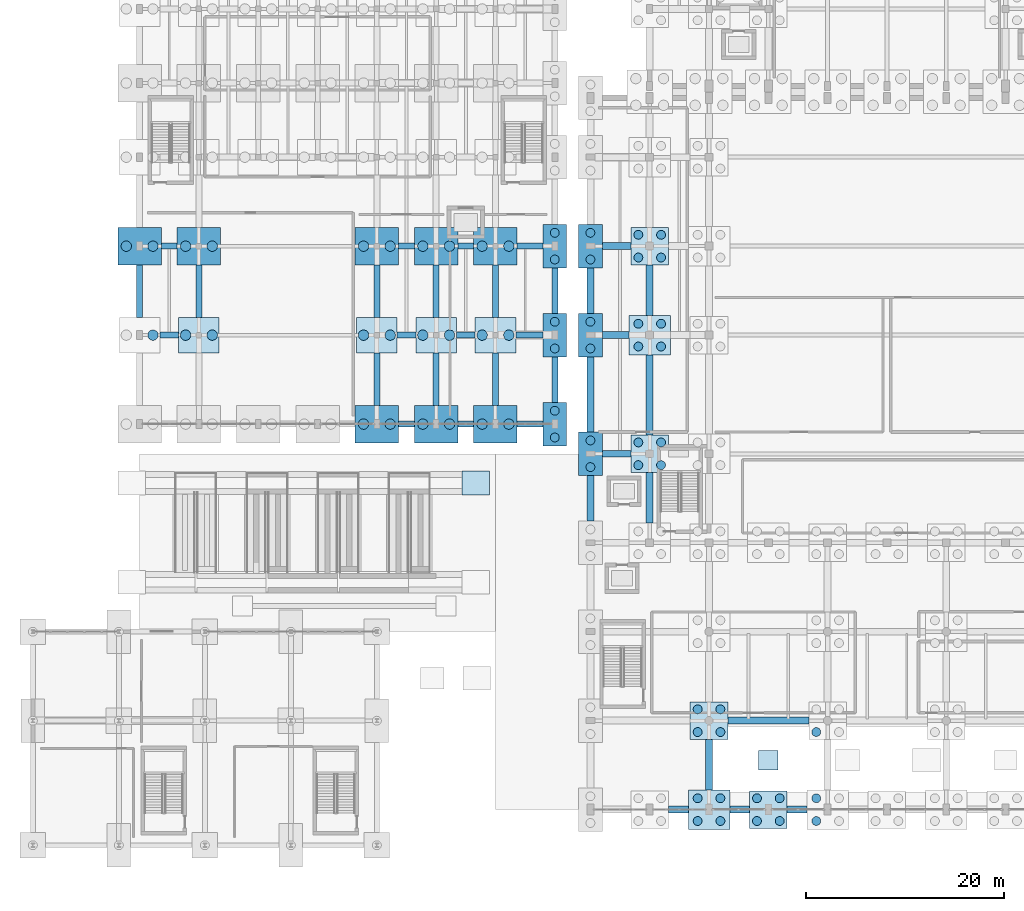
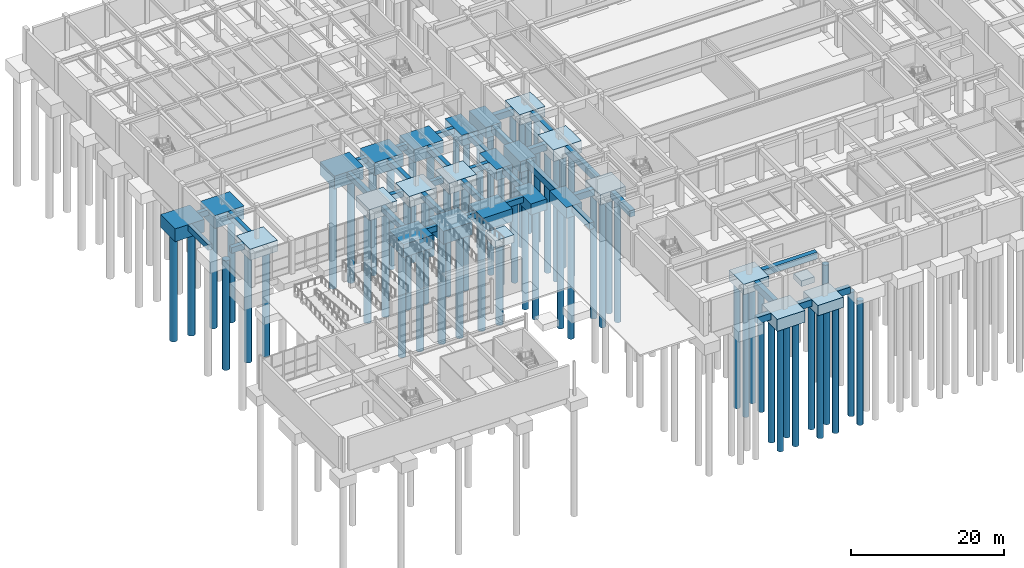
# One storey, part 2 of 69: 64 piles, 61 footings.
"""IFC4 building model written with IfcOpenShell, lengths in metres."""

from ifc_helpers import new_model, si_unit, direction, frame, origin, origin_2d, place, context, subcontext, project, spatial, rectangle, circle, extrude, material, material_profile, profile_set, type_object, element, save


model = new_model("IFC4")

# Units and contexts
model_context = context("Model", 3, precision=1e-05, world=origin(), true_north=direction((0.0, 1.0)))
body_context = subcontext(model_context, "Body", "Model", "MODEL_VIEW")
ifc_project = project(units=[si_unit("LENGTHUNIT", "METRE"), si_unit("AREAUNIT", "SQUARE_METRE"), si_unit("VOLUMEUNIT", "CUBIC_METRE"), si_unit("PLANEANGLEUNIT", "RADIAN"), si_unit("MASSUNIT", "GRAM", prefix="KILO")], contexts=[model_context])

# Site, building, storey
site_placement = place(None, origin())
site = spatial("IfcSite", under=ifc_project, at=site_placement, CompositionType="ELEMENT")
building_placement = place(site_placement, origin())
building = spatial("IfcBuilding", under=site, at=building_placement, Name="Vaelkrest Opera House", CompositionType="ELEMENT")
storey_placement = place(building_placement, frame((0.0, 0.0, -5.39990234375)))
storey = spatial("IfcBuildingStorey", under=building, at=storey_placement, Name="B1", CompositionType="ELEMENT", Elevation=-5.39990234375)

# Footings
ifc_material = material(Name="Concrete C40/50", Category="concrete")
footing_type_1 = type_object("IfcFootingType", Name="FB01", PredefinedType="FOOTING_BEAM", material=ifc_material)
for number, where, z_axis, x_axis, name in (
    (1, (-48.60009765625, -16.800048828125, -0.900146484375), (0.0, 0.0, 1.0), (1.0, 0.0, 0.0), "Footing tie beam FT-GB-0193"),
    (2, (-42.60009765625, -16.800048828125, -0.900146484375), (0.0, 0.0, 1.0), (1.0, 0.0, 0.0), "Footing tie beam FT-GB-0194"),
):
    element("IfcFooting", number, at=place(storey_placement, frame(where, z_axis=z_axis, x_axis=x_axis)), inside=storey, type_object=footing_type_1, Name=name, PredefinedType="FOOTING_BEAM", context=body_context, shape_type="SweptSolid", body=[
        extrude(rectangle(XDim=1.60009765625, YDim=0.60009765625, at=origin_2d()), origin(), (0.0, 0.0, 1.0), 0.89990234375),
    ])
footing_1_placement = place(storey_placement, frame((-36.10009765625, -16.800048828125, -0.900146484375), z_axis=(0.0, 0.0, 1.0), x_axis=(1.0, 0.0, 0.0)))
element("IfcFooting", 3, at=footing_1_placement, inside=storey, type_object=footing_type_1, Name="Footing tie beam FT-GB-0195", PredefinedType="FOOTING_BEAM", context=body_context, shape_type="SweptSolid", body=[
    extrude(rectangle(XDim=2.60009765625, YDim=0.60009765625, at=origin_2d()), origin(), (0.0, 0.0, 1.0), 0.89990234375),
])
for number, where, z_axis, x_axis, name in (
    (4, (-72.60009765625, -7.800048828125, -0.900146484375), (0.0, 0.0, 1.0), (1.0, 0.0, 0.0), "Footing tie beam FT-GB-0196"),
    (5, (-48.60009765625, -7.800048828125, -0.900146484375), (0.0, 0.0, 1.0), (1.0, 0.0, 0.0), "Footing tie beam FT-GB-0197"),
    (6, (-42.60009765625, -7.800048828125, -0.900146484375), (0.0, 0.0, 1.0), (1.0, 0.0, 0.0), "Footing tie beam FT-GB-0198"),
):
    element("IfcFooting", number, at=place(storey_placement, frame(where, z_axis=z_axis, x_axis=x_axis)), inside=storey, type_object=footing_type_1, Name=name, PredefinedType="FOOTING_BEAM", context=body_context, shape_type="SweptSolid", body=[
        extrude(rectangle(XDim=1.89990234375, YDim=0.60009765625, at=origin_2d()), origin(), (0.0, 0.0, 1.0), 0.89990234375),
    ])
footing_2_placement = place(storey_placement, frame((-36.175048828125, -7.800048828125, -0.900146484375), z_axis=(0.0, 0.0, 1.0), x_axis=(1.0, 0.0, 0.0)))
element("IfcFooting", 7, at=footing_2_placement, inside=storey, type_object=footing_type_1, Name="Footing tie beam FT-GB-0199", PredefinedType="FOOTING_BEAM", context=body_context, shape_type="SweptSolid", body=[
    extrude(rectangle(XDim=2.75, YDim=0.60009765625, at=origin_2d()), origin(), (0.0, 0.0, 1.0), 0.89990234375),
])
for number, where, z_axis, x_axis, name in (
    (8, (-72.60009765625, 1.199951171875, -0.900146484375), (0.0, 0.0, 1.0), (1.0, 0.0, 0.0), "Footing tie beam FT-GB-0200"),
    (9, (-48.60009765625, 1.199951171875, -0.900146484375), (0.0, 0.0, 1.0), (1.0, 0.0, 0.0), "Footing tie beam FT-GB-0201"),
    (10, (-42.60009765625, 1.199951171875, -0.900146484375), (0.0, 0.0, 1.0), (1.0, 0.0, 0.0), "Footing tie beam FT-GB-0202"),
):
    element("IfcFooting", number, at=place(storey_placement, frame(where, z_axis=z_axis, x_axis=x_axis)), inside=storey, type_object=footing_type_1, Name=name, PredefinedType="FOOTING_BEAM", context=body_context, shape_type="SweptSolid", body=[
        extrude(rectangle(XDim=1.60009765625, YDim=0.60009765625, at=origin_2d()), origin(), (0.0, 0.0, 1.0), 0.89990234375),
    ])
footing_3_placement = place(storey_placement, frame((-36.10009765625, 1.199951171875, -0.900146484375), z_axis=(0.0, 0.0, 1.0), x_axis=(1.0, 0.0, 0.0)))
element("IfcFooting", 11, at=footing_3_placement, inside=storey, type_object=footing_type_1, Name="Footing tie beam FT-GB-0203", PredefinedType="FOOTING_BEAM", context=body_context, shape_type="SweptSolid", body=[
    extrude(rectangle(XDim=2.60009765625, YDim=0.60009765625, at=origin_2d()), origin(), (0.0, 0.0, 1.0), 0.89990234375),
])
for number, where, z_axis, x_axis, name in (
    (12, (-75.60009765625, -3.35009765625, -0.900146484375), (0.0, 0.0, 1.0), (0.0, 1.0, 0.0), "Footing tie beam FT-GB-0240"),
    (13, (-69.60009765625, -3.35009765625, -0.900146484375), (0.0, 0.0, 1.0), (0.0, 1.0, 0.0), "Footing tie beam FT-GB-0247"),
    (14, (-51.60009765625, -12.25, -0.900146484375), (0.0, 0.0, 1.0), (0.0, 1.0, 0.0), "Footing tie beam FT-GB-0261"),
    (15, (-51.60009765625, -3.35009765625, -0.900146484375), (0.0, 0.0, 1.0), (0.0, 1.0, 0.0), "Footing tie beam FT-GB-0262"),
    (16, (-45.60009765625, -12.25, -0.900146484375), (0.0, 0.0, 1.0), (0.0, 1.0, 0.0), "Footing tie beam FT-GB-0268"),
    (17, (-45.60009765625, -3.35009765625, -0.900146484375), (0.0, 0.0, 1.0), (0.0, 1.0, 0.0), "Footing tie beam FT-GB-0269"),
    (18, (-39.60009765625, -12.25, -0.900146484375), (0.0, 0.0, 1.0), (0.0, 1.0, 0.0), "Footing tie beam FT-GB-0275"),
    (19, (-39.60009765625, -3.35009765625, -0.900146484375), (0.0, 0.0, 1.0), (0.0, 1.0, 0.0), "Footing tie beam FT-GB-0276"),
):
    element("IfcFooting", number, at=place(storey_placement, frame(where, z_axis=z_axis, x_axis=x_axis)), inside=storey, type_object=footing_type_1, Name=name, PredefinedType="FOOTING_BEAM", context=body_context, shape_type="SweptSolid", body=[
        extrude(rectangle(XDim=5.300048828125, YDim=0.60009765625, at=origin_2d()), origin(), (0.0, 0.0, 1.0), 0.89990234375),
    ])
for number, where, z_axis, x_axis, name in (
    (20, (-33.60009765625, -12.300048828125, -0.900146484375), (0.0, 0.0, 1.0), (0.0, 1.0, 0.0), "Footing tie beam FT-GB-0282"),
    (21, (-33.60009765625, -3.300048828125, -0.900146484375), (0.0, 0.0, 1.0), (0.0, 1.0, 0.0), "Footing tie beam FT-GB-0283"),
):
    element("IfcFooting", number, at=place(storey_placement, frame(where, z_axis=z_axis, x_axis=x_axis)), inside=storey, type_object=footing_type_1, Name=name, PredefinedType="FOOTING_BEAM", context=body_context, shape_type="SweptSolid", body=[
        extrude(rectangle(XDim=4.60009765625, YDim=0.60009765625, at=origin_2d()), origin(), (0.0, 0.0, 1.0), 0.89990234375),
    ])
footing_type_2 = type_object("IfcFootingType", Name="FB02", PredefinedType="FOOTING_BEAM", material=ifc_material)
for number, where, z_axis, x_axis, name in (
    (22, (-21.10009765625, -55.800048828125, -1.05029296875), (0.0, 0.0, 1.0), (1.0, 0.0, 0.0), "Footing tie beam FT-GB-0002"),
    (23, (-14.89990234375, -55.800048828125, -1.05029296875), (0.0, 0.0, 1.0), (1.0, 0.0, 0.0), "Footing tie beam FT-GB-0003"),
    (24, (-9.10009765625, -55.800048828125, -1.05029296875), (0.0, 0.0, 1.0), (1.0, 0.0, 0.0), "Footing tie beam FT-GB-0004"),
):
    element("IfcFooting", number, at=place(storey_placement, frame(where, z_axis=z_axis, x_axis=x_axis)), inside=storey, type_object=footing_type_2, Name=name, PredefinedType="FOOTING_BEAM", context=body_context, shape_type="SweptSolid", body=[
        extrude(rectangle(XDim=2.0, YDim=0.699951171875, at=origin_2d()), origin(), (0.0, 0.0, 1.0), 1.050048828125),
    ])
footing_4_placement = place(storey_placement, frame((-12.0, -46.800048828125, -1.05029296875), z_axis=(0.0, 0.0, 1.0), x_axis=(1.0, 0.0, 0.0)))
element("IfcFooting", 25, at=footing_4_placement, inside=storey, type_object=footing_type_2, Name="Footing tie beam FT-GB-0012", PredefinedType="FOOTING_BEAM", context=body_context, shape_type="SweptSolid", body=[
    extrude(rectangle(XDim=8.199951171875, YDim=0.699951171875, at=origin_2d()), origin(), (0.0, 0.0, 1.0), 1.050048828125),
])
footing_5_placement = place(storey_placement, frame((-27.35009765625, -19.800048828125, -1.05029296875), z_axis=(0.0, 0.0, 1.0), x_axis=(1.0, 0.0, 0.0)))
element("IfcFooting", 26, at=footing_5_placement, inside=storey, type_object=footing_type_2, Name="Footing tie beam FT-GB-0031", PredefinedType="FOOTING_BEAM", context=body_context, shape_type="SweptSolid", body=[
    extrude(rectangle(XDim=2.89990234375, YDim=0.699951171875, at=origin_2d()), origin(), (0.0, 0.0, 1.0), 1.050048828125),
])
footing_6_placement = place(storey_placement, frame((-27.449951171875, -7.800048828125, -1.05029296875), z_axis=(0.0, 0.0, 1.0), x_axis=(1.0, 0.0, 0.0)))
element("IfcFooting", 27, at=footing_6_placement, inside=storey, type_object=footing_type_2, Name="Footing tie beam FT-GB-0035", PredefinedType="FOOTING_BEAM", context=body_context, shape_type="SweptSolid", body=[
    extrude(rectangle(XDim=2.699951171875, YDim=0.699951171875, at=origin_2d()), origin(), (0.0, 0.0, 1.0), 1.050048828125),
])
footing_7_placement = place(storey_placement, frame((-27.35009765625, 1.199951171875, -1.05029296875), z_axis=(0.0, 0.0, 1.0), x_axis=(1.0, 0.0, 0.0)))
element("IfcFooting", 28, at=footing_7_placement, inside=storey, type_object=footing_type_2, Name="Footing tie beam FT-GB-0039", PredefinedType="FOOTING_BEAM", context=body_context, shape_type="SweptSolid", body=[
    extrude(rectangle(XDim=2.89990234375, YDim=0.699951171875, at=origin_2d()), origin(), (0.0, 0.0, 1.0), 1.050048828125),
])
footing_8_placement = place(storey_placement, frame((-30.0, -24.300048828125, -1.05029296875), z_axis=(0.0, 0.0, 1.0), x_axis=(0.0, 1.0, 0.0)))
element("IfcFooting", 29, at=footing_8_placement, inside=storey, type_object=footing_type_2, Name="Footing tie beam FT-GB-0059", PredefinedType="FOOTING_BEAM", context=body_context, shape_type="SweptSolid", body=[
    extrude(rectangle(XDim=4.60009765625, YDim=0.699951171875, at=origin_2d()), origin(), (0.0, 0.0, 1.0), 1.050048828125),
])
footing_9_placement = place(storey_placement, frame((-30.0, -13.800048828125, -1.05029296875), z_axis=(0.0, 0.0, 1.0), x_axis=(0.0, 1.0, 0.0)))
element("IfcFooting", 30, at=footing_9_placement, inside=storey, type_object=footing_type_2, Name="Footing tie beam FT-GB-0060", PredefinedType="FOOTING_BEAM", context=body_context, shape_type="SweptSolid", body=[
    extrude(rectangle(XDim=7.60009765625, YDim=0.699951171875, at=origin_2d()), origin(), (0.0, 0.0, 1.0), 1.050048828125),
])
footing_10_placement = place(storey_placement, frame((-30.0, -3.300048828125, -1.05029296875), z_axis=(0.0, 0.0, 1.0), x_axis=(0.0, 1.0, 0.0)))
element("IfcFooting", 31, at=footing_10_placement, inside=storey, type_object=footing_type_2, Name="Footing tie beam FT-GB-0061", PredefinedType="FOOTING_BEAM", context=body_context, shape_type="SweptSolid", body=[
    extrude(rectangle(XDim=4.60009765625, YDim=0.699951171875, at=origin_2d()), origin(), (0.0, 0.0, 1.0), 1.050048828125),
])
footing_11_placement = place(storey_placement, frame((-24.0, -24.25, -1.05029296875), z_axis=(0.0, 0.0, 1.0), x_axis=(0.0, 1.0, 0.0)))
element("IfcFooting", 32, at=footing_11_placement, inside=storey, type_object=footing_type_2, Name="Footing tie beam FT-GB-0064", PredefinedType="FOOTING_BEAM", context=body_context, shape_type="SweptSolid", body=[
    extrude(rectangle(XDim=5.10009765625, YDim=0.699951171875, at=origin_2d()), origin(), (0.0, 0.0, 1.0), 1.050048828125),
])
footing_12_placement = place(storey_placement, frame((-24.0, -13.85009765625, -1.05029296875), z_axis=(0.0, 0.0, 1.0), x_axis=(0.0, 1.0, 0.0)))
element("IfcFooting", 33, at=footing_12_placement, inside=storey, type_object=footing_type_2, Name="Footing tie beam FT-GB-0065", PredefinedType="FOOTING_BEAM", context=body_context, shape_type="SweptSolid", body=[
    extrude(rectangle(XDim=8.10009765625, YDim=0.699951171875, at=origin_2d()), origin(), (0.0, 0.0, 1.0), 1.050048828125),
])
for number, where, z_axis, x_axis, name in (
    (34, (-24.0, -3.25, -1.05029296875), (0.0, 0.0, 1.0), (0.0, 1.0, 0.0), "Footing tie beam FT-GB-0066"),
    (35, (-18.0, -51.25, -1.05029296875), (0.0, 0.0, 1.0), (0.0, 1.0, 0.0), "Footing tie beam FT-GB-0069"),
):
    element("IfcFooting", number, at=place(storey_placement, frame(where, z_axis=z_axis, x_axis=x_axis)), inside=storey, type_object=footing_type_2, Name=name, PredefinedType="FOOTING_BEAM", context=body_context, shape_type="SweptSolid", body=[
        extrude(rectangle(XDim=5.10009765625, YDim=0.699951171875, at=origin_2d()), origin(), (0.0, 0.0, 1.0), 1.050048828125),
    ])
footing_type_3 = type_object("IfcFootingType", Name="PC02", PredefinedType="PILE_CAP", material=ifc_material)
for number, where, z_axis, x_axis, name in (
    (36, (-24.0, -19.800048828125, -1.650146484375), (0.0, 0.0, 1.0), (1.0, 0.0, 0.0), "Pile cap FT-CAP-012"),
    (37, (-24.0, 1.199951171875, -1.650146484375), (0.0, 0.0, 1.0), (1.0, 0.0, 0.0), "Pile cap FT-CAP-014"),
    (38, (-18.0, -46.800048828125, -1.650146484375), (0.0, 0.0, 1.0), (1.0, 0.0, 0.0), "Pile cap FT-CAP-018"),
    (39, (-12.0, -55.800048828125, -1.650146484375), (0.0, 0.0, 1.0), (1.0, 0.0, 0.0), "Pile cap FT-CAP-026"),
):
    element("IfcFooting", number, at=place(storey_placement, frame(where, z_axis=z_axis, x_axis=x_axis)), inside=storey, type_object=footing_type_3, Name=name, PredefinedType="PILE_CAP", context=body_context, shape_type="SweptSolid", body=[
        extrude(rectangle(XDim=3.800048828125, YDim=3.800048828125, at=origin_2d()), origin(), (0.0, 0.0, 1.0), 1.64990234375),
    ])
footing_type_4 = type_object("IfcFootingType", Name="PC03", PredefinedType="PILE_CAP", material=ifc_material)
for number, where, z_axis, x_axis, name in (
    (40, (-69.60009765625, -7.800048828125, -1.75), (0.0, 0.0, 1.0), (1.0, 0.0, 0.0), "Pile cap FT-CAP-126"),
    (41, (-51.60009765625, -7.800048828125, -1.75), (0.0, 0.0, 1.0), (1.0, 0.0, 0.0), "Pile cap FT-CAP-146"),
    (42, (-45.60009765625, -7.800048828125, -1.75), (0.0, 0.0, 1.0), (1.0, 0.0, 0.0), "Pile cap FT-CAP-154"),
    (43, (-39.60009765625, -7.800048828125, -1.75), (0.0, 0.0, 1.0), (1.0, 0.0, 0.0), "Pile cap FT-CAP-162"),
):
    element("IfcFooting", number, at=place(storey_placement, frame(where, z_axis=z_axis, x_axis=x_axis)), inside=storey, type_object=footing_type_4, Name=name, PredefinedType="PILE_CAP", context=body_context, shape_type="SweptSolid", body=[
        extrude(rectangle(XDim=4.10009765625, YDim=3.60009765625, at=origin_2d()), origin(), (0.0, 0.0, 1.0), 1.75),
    ])
footing_type_5 = type_object("IfcFootingType", Name="PC04", PredefinedType="PILE_CAP", material=ifc_material)
for number, where, z_axis, x_axis, name in (
    (44, (-24.0, -7.800048828125, -1.900146484375), (0.0, 0.0, 1.0), (1.0, 0.0, 0.0), "Pile cap FT-CAP-013"),
    (45, (-18.0, -55.800048828125, -1.900146484375), (0.0, 0.0, 1.0), (1.0, 0.0, 0.0), "Pile cap FT-CAP-017"),
):
    element("IfcFooting", number, at=place(storey_placement, frame(where, z_axis=z_axis, x_axis=x_axis)), inside=storey, type_object=footing_type_5, Name=name, PredefinedType="PILE_CAP", context=body_context, shape_type="SweptSolid", body=[
        extrude(rectangle(XDim=4.199951171875, YDim=4.0, at=origin_2d()), origin(), (0.0, 0.0, 1.0), 1.89990234375),
    ])
footing_type_6 = type_object("IfcFootingType", Name="PC05", PredefinedType="PILE_CAP", material=ifc_material)
for number, where, z_axis, x_axis, name in (
    (46, (-75.60009765625, 1.199951171875, -2.05029296875), (0.0, 0.0, 1.0), (1.0, 0.0, 0.0), "Pile cap FT-CAP-119"),
    (47, (-69.60009765625, 1.199951171875, -2.05029296875), (0.0, 0.0, 1.0), (1.0, 0.0, 0.0), "Pile cap FT-CAP-127"),
    (48, (-51.60009765625, -16.800048828125, -2.05029296875), (0.0, 0.0, 1.0), (1.0, 0.0, 0.0), "Pile cap FT-CAP-145"),
    (49, (-51.60009765625, 1.199951171875, -2.05029296875), (0.0, 0.0, 1.0), (1.0, 0.0, 0.0), "Pile cap FT-CAP-147"),
    (50, (-45.60009765625, -16.800048828125, -2.05029296875), (0.0, 0.0, 1.0), (1.0, 0.0, 0.0), "Pile cap FT-CAP-153"),
    (51, (-45.60009765625, 1.199951171875, -2.05029296875), (0.0, 0.0, 1.0), (1.0, 0.0, 0.0), "Pile cap FT-CAP-155"),
    (52, (-39.60009765625, -16.800048828125, -2.05029296875), (0.0, 0.0, 1.0), (1.0, 0.0, 0.0), "Pile cap FT-CAP-161"),
    (53, (-39.60009765625, 1.199951171875, -2.05029296875), (0.0, 0.0, 1.0), (1.0, 0.0, 0.0), "Pile cap FT-CAP-163"),
):
    element("IfcFooting", number, at=place(storey_placement, frame(where, z_axis=z_axis, x_axis=x_axis)), inside=storey, type_object=footing_type_6, Name=name, PredefinedType="PILE_CAP", context=body_context, shape_type="SweptSolid", body=[
        extrude(rectangle(XDim=4.39990234375, YDim=3.800048828125, at=origin_2d()), origin(), (0.0, 0.0, 1.0), 2.050048828125),
    ])
footing_type_7 = type_object("IfcFootingType", Name="PC08", PredefinedType="PILE_CAP", material=ifc_material)
for number, where, z_axis, x_axis, name in (
    (54, (-30.0, -19.800048828125, -1.75), (0.0, 0.0, 1.0), (1.0, 0.0, 0.0), "Pile cap FT-CAP-005"),
    (55, (-30.0, -7.800048828125, -1.75), (0.0, 0.0, 1.0), (1.0, 0.0, 0.0), "Pile cap FT-CAP-006"),
    (56, (-30.0, 1.199951171875, -1.75), (0.0, 0.0, 1.0), (1.0, 0.0, 0.0), "Pile cap FT-CAP-007"),
    (57, (-33.60009765625, -16.800048828125, -1.75), (0.0, 0.0, 1.0), (1.0, 0.0, 0.0), "Pile cap FT-CAP-169"),
    (58, (-33.60009765625, -7.800048828125, -1.75), (0.0, 0.0, 1.0), (1.0, 0.0, 0.0), "Pile cap FT-CAP-170"),
    (59, (-33.60009765625, 1.199951171875, -1.75), (0.0, 0.0, 1.0), (1.0, 0.0, 0.0), "Pile cap FT-CAP-171"),
):
    element("IfcFooting", number, at=place(storey_placement, frame(where, z_axis=z_axis, x_axis=x_axis)), inside=storey, type_object=footing_type_7, Name=name, PredefinedType="PILE_CAP", context=body_context, shape_type="SweptSolid", body=[
        extrude(rectangle(XDim=2.39990234375, YDim=4.39990234375, at=origin_2d()), origin(), (0.0, 0.0, 1.0), 1.75),
    ])
footing_type_8 = type_object("IfcFootingType", Name="PF01", PredefinedType="PAD_FOOTING", material=ifc_material)
footing_13_placement = place(storey_placement, frame((-12.0, -50.800048828125, -0.900146484375), z_axis=(0.0, 0.0, 1.0), x_axis=(1.0, 0.0, 0.0)))
element("IfcFooting", 60, at=footing_13_placement, inside=storey, type_object=footing_type_8, Name="Pad footing FT-PAD-01", PredefinedType="PAD_FOOTING", context=body_context, shape_type="SweptSolid", body=[
    extrude(rectangle(XDim=2.0, YDim=2.0, at=origin_2d()), origin(), (0.0, 0.0, 1.0), 0.89990234375),
])
footing_type_9 = type_object("IfcFootingType", Name="PF03", PredefinedType="PAD_FOOTING", material=ifc_material)
footing_14_placement = place(storey_placement, frame((-41.60009765625, -22.75, -1.2001953125), z_axis=(0.0, 0.0, 1.0), x_axis=(1.0, 0.0, 0.0)))
element("IfcFooting", 61, at=footing_14_placement, inside=storey, type_object=footing_type_9, Name="Pad footing FT-PAD-RMP-NE", PredefinedType="PAD_FOOTING", context=body_context, shape_type="SweptSolid", body=[
    extrude(rectangle(XDim=2.800048828125, YDim=2.39990234375, at=origin_2d()), origin(), (0.0, 0.0, 1.0), 1.199951171875),
])

# Piles
ifc_material_profile_1 = material_profile(ifc_material, circle(Radius=0.449951171875, at=origin_2d()), Name="PILE900")
ifc_profile_set_1 = profile_set([ifc_material_profile_1], Name="Concrete C40/50")
pile_type_1 = type_object("IfcPileType", Name="PL01", PredefinedType="BORED", material=ifc_profile_set_1)
for number, where, z_axis, x_axis, name in (
    (62, (-30.0, -21.14990234375, -1.650146484375), (0.0, 0.0, -1.0), (1.0, 0.0, 0.0), "Bored pile PL-0009"),
    (63, (-30.0, -18.449951171875, -1.650146484375), (0.0, 0.0, -1.0), (1.0, 0.0, 0.0), "Bored pile PL-0010"),
    (64, (-30.0, -9.14990234375, -1.650146484375), (0.0, 0.0, -1.0), (1.0, 0.0, 0.0), "Bored pile PL-0011"),
    (65, (-30.0, -6.449951171875, -1.650146484375), (0.0, 0.0, -1.0), (1.0, 0.0, 0.0), "Bored pile PL-0012"),
    (66, (-30.0, -0.14990234375, -1.650146484375), (0.0, 0.0, -1.0), (1.0, 0.0, 0.0), "Bored pile PL-0013"),
    (67, (-30.0, 2.550048828125, -1.650146484375), (0.0, 0.0, -1.0), (1.0, 0.0, 0.0), "Bored pile PL-0014"),
):
    element("IfcPile", number, at=place(storey_placement, frame(where, z_axis=z_axis, x_axis=x_axis)), inside=storey, type_object=pile_type_1, Name=name, PredefinedType="BORED", context=body_context, shape_type="SweptSolid", body=[
        extrude(circle(Radius=0.449951171875, at=origin_2d()), origin(), (0.0, 0.0, 1.0), 19.949951171875),
    ])
for number, where, z_axis, x_axis, name in (
    (68, (-25.14990234375, -20.949951171875, -1.550048828125), (0.0, 0.0, -1.0), (1.0, 0.0, 0.0), "Bored pile PL-0027"),
    (69, (-22.85009765625, -20.949951171875, -1.550048828125), (0.0, 0.0, -1.0), (1.0, 0.0, 0.0), "Bored pile PL-0028"),
    (70, (-25.14990234375, -18.64990234375, -1.550048828125), (0.0, 0.0, -1.0), (1.0, 0.0, 0.0), "Bored pile PL-0029"),
    (71, (-22.85009765625, -18.64990234375, -1.550048828125), (0.0, 0.0, -1.0), (1.0, 0.0, 0.0), "Bored pile PL-0030"),
):
    element("IfcPile", number, at=place(storey_placement, frame(where, z_axis=z_axis, x_axis=x_axis)), inside=storey, type_object=pile_type_1, Name=name, PredefinedType="BORED", context=body_context, shape_type="SweptSolid", body=[
        extrude(circle(Radius=0.449951171875, at=origin_2d()), origin(), (0.0, 0.0, 1.0), 20.050048828125),
    ])
for number, where, z_axis, x_axis, name in (
    (72, (-25.14990234375, -8.949951171875, -1.800048828125), (0.0, 0.0, -1.0), (1.0, 0.0, 0.0), "Bored pile PL-0031"),
    (73, (-22.85009765625, -8.949951171875, -1.800048828125), (0.0, 0.0, -1.0), (1.0, 0.0, 0.0), "Bored pile PL-0032"),
    (74, (-25.14990234375, -6.64990234375, -1.800048828125), (0.0, 0.0, -1.0), (1.0, 0.0, 0.0), "Bored pile PL-0033"),
    (75, (-22.85009765625, -6.64990234375, -1.800048828125), (0.0, 0.0, -1.0), (1.0, 0.0, 0.0), "Bored pile PL-0034"),
):
    element("IfcPile", number, at=place(storey_placement, frame(where, z_axis=z_axis, x_axis=x_axis)), inside=storey, type_object=pile_type_1, Name=name, PredefinedType="BORED", context=body_context, shape_type="SweptSolid", body=[
        extrude(circle(Radius=0.449951171875, at=origin_2d()), origin(), (0.0, 0.0, 1.0), 19.800048828125),
    ])
for number, where, z_axis, x_axis, name in (
    (76, (-25.14990234375, 0.050048828125, -1.550048828125), (0.0, 0.0, -1.0), (1.0, 0.0, 0.0), "Bored pile PL-0035"),
    (77, (-22.85009765625, 0.050048828125, -1.550048828125), (0.0, 0.0, -1.0), (1.0, 0.0, 0.0), "Bored pile PL-0036"),
    (78, (-25.14990234375, 2.35009765625, -1.550048828125), (0.0, 0.0, -1.0), (1.0, 0.0, 0.0), "Bored pile PL-0037"),
    (79, (-22.85009765625, 2.35009765625, -1.550048828125), (0.0, 0.0, -1.0), (1.0, 0.0, 0.0), "Bored pile PL-0038"),
):
    element("IfcPile", number, at=place(storey_placement, frame(where, z_axis=z_axis, x_axis=x_axis)), inside=storey, type_object=pile_type_1, Name=name, PredefinedType="BORED", context=body_context, shape_type="SweptSolid", body=[
        extrude(circle(Radius=0.449951171875, at=origin_2d()), origin(), (0.0, 0.0, 1.0), 20.050048828125),
    ])
for number, where, z_axis, x_axis, name in (
    (80, (-19.14990234375, -56.949951171875, -1.800048828125), (0.0, 0.0, -1.0), (1.0, 0.0, 0.0), "Bored pile PL-0047"),
    (81, (-16.85009765625, -56.949951171875, -1.800048828125), (0.0, 0.0, -1.0), (1.0, 0.0, 0.0), "Bored pile PL-0048"),
    (82, (-19.14990234375, -54.64990234375, -1.800048828125), (0.0, 0.0, -1.0), (1.0, 0.0, 0.0), "Bored pile PL-0049"),
    (83, (-16.85009765625, -54.64990234375, -1.800048828125), (0.0, 0.0, -1.0), (1.0, 0.0, 0.0), "Bored pile PL-0050"),
):
    element("IfcPile", number, at=place(storey_placement, frame(where, z_axis=z_axis, x_axis=x_axis)), inside=storey, type_object=pile_type_1, Name=name, PredefinedType="BORED", context=body_context, shape_type="SweptSolid", body=[
        extrude(circle(Radius=0.449951171875, at=origin_2d()), origin(), (0.0, 0.0, 1.0), 19.800048828125),
    ])
for number, where, z_axis, x_axis, name in (
    (84, (-19.14990234375, -47.949951171875, -1.550048828125), (0.0, 0.0, -1.0), (1.0, 0.0, 0.0), "Bored pile PL-0051"),
    (85, (-16.85009765625, -47.949951171875, -1.550048828125), (0.0, 0.0, -1.0), (1.0, 0.0, 0.0), "Bored pile PL-0052"),
    (86, (-19.14990234375, -45.64990234375, -1.550048828125), (0.0, 0.0, -1.0), (1.0, 0.0, 0.0), "Bored pile PL-0053"),
    (87, (-16.85009765625, -45.64990234375, -1.550048828125), (0.0, 0.0, -1.0), (1.0, 0.0, 0.0), "Bored pile PL-0054"),
    (88, (-13.14990234375, -56.949951171875, -1.550048828125), (0.0, 0.0, -1.0), (1.0, 0.0, 0.0), "Bored pile PL-0083"),
    (89, (-10.85009765625, -56.949951171875, -1.550048828125), (0.0, 0.0, -1.0), (1.0, 0.0, 0.0), "Bored pile PL-0084"),
    (90, (-13.14990234375, -54.64990234375, -1.550048828125), (0.0, 0.0, -1.0), (1.0, 0.0, 0.0), "Bored pile PL-0085"),
    (91, (-10.85009765625, -54.64990234375, -1.550048828125), (0.0, 0.0, -1.0), (1.0, 0.0, 0.0), "Bored pile PL-0086"),
):
    element("IfcPile", number, at=place(storey_placement, frame(where, z_axis=z_axis, x_axis=x_axis)), inside=storey, type_object=pile_type_1, Name=name, PredefinedType="BORED", context=body_context, shape_type="SweptSolid", body=[
        extrude(circle(Radius=0.449951171875, at=origin_2d()), origin(), (0.0, 0.0, 1.0), 20.050048828125),
    ])
for number, where, z_axis, x_axis, name in (
    (92, (-7.14990234375, -56.949951171875, -1.800048828125), (0.0, 0.0, -1.0), (1.0, 0.0, 0.0), "Bored pile PL-0095"),
    (93, (-7.14990234375, -54.64990234375, -1.800048828125), (0.0, 0.0, -1.0), (1.0, 0.0, 0.0), "Bored pile PL-0097"),
):
    element("IfcPile", number, at=place(storey_placement, frame(where, z_axis=z_axis, x_axis=x_axis)), inside=storey, type_object=pile_type_1, Name=name, PredefinedType="BORED", context=body_context, shape_type="SweptSolid", body=[
        extrude(circle(Radius=0.449951171875, at=origin_2d()), origin(), (0.0, 0.0, 1.0), 19.800048828125),
    ])
pile_1_placement = place(storey_placement, frame((-7.14990234375, -47.949951171875, -1.550048828125), z_axis=(0.0, 0.0, -1.0), x_axis=(1.0, 0.0, 0.0)))
element("IfcPile", 94, at=pile_1_placement, inside=storey, type_object=pile_type_1, Name="Bored pile PL-0099", PredefinedType="BORED", context=body_context, shape_type="SweptSolid", body=[
    extrude(circle(Radius=0.449951171875, at=origin_2d()), origin(), (0.0, 0.0, 1.0), 20.050048828125),
])
for number, where, z_axis, x_axis, name in (
    (95, (-33.60009765625, -18.14990234375, -1.650146484375), (0.0, 0.0, -1.0), (1.0, 0.0, 0.0), "Bored pile PL-0525"),
    (96, (-33.60009765625, -15.449951171875, -1.650146484375), (0.0, 0.0, -1.0), (1.0, 0.0, 0.0), "Bored pile PL-0526"),
    (97, (-33.60009765625, -9.14990234375, -1.650146484375), (0.0, 0.0, -1.0), (1.0, 0.0, 0.0), "Bored pile PL-0527"),
    (98, (-33.60009765625, -6.449951171875, -1.650146484375), (0.0, 0.0, -1.0), (1.0, 0.0, 0.0), "Bored pile PL-0528"),
    (99, (-33.60009765625, -0.14990234375, -1.650146484375), (0.0, 0.0, -1.0), (1.0, 0.0, 0.0), "Bored pile PL-0529"),
    (100, (-33.60009765625, 2.550048828125, -1.650146484375), (0.0, 0.0, -1.0), (1.0, 0.0, 0.0), "Bored pile PL-0530"),
):
    element("IfcPile", number, at=place(storey_placement, frame(where, z_axis=z_axis, x_axis=x_axis)), inside=storey, type_object=pile_type_1, Name=name, PredefinedType="BORED", context=body_context, shape_type="SweptSolid", body=[
        extrude(circle(Radius=0.449951171875, at=origin_2d()), origin(), (0.0, 0.0, 1.0), 17.449951171875),
    ])
ifc_material_profile_2 = material_profile(ifc_material, circle(Radius=0.52490234375, at=origin_2d()), Name="PILE1050")
ifc_profile_set_2 = profile_set([ifc_material_profile_2], Name="Concrete C40/50")
pile_type_2 = type_object("IfcPileType", Name="PL02", PredefinedType="BORED", material=ifc_profile_set_2)
pile_2_placement = place(storey_placement, frame((-74.25, -7.800048828125, -1.650146484375), z_axis=(0.0, 0.0, -1.0), x_axis=(1.0, 0.0, 0.0)))
element("IfcPile", 101, at=pile_2_placement, inside=storey, type_object=pile_type_2, Name="Bored pile PL-0424", PredefinedType="BORED", context=body_context, shape_type="SweptSolid", body=[
    extrude(circle(Radius=0.52490234375, at=origin_2d()), origin(), (0.0, 0.0, 1.0), 17.449951171875),
])
for number, where, z_axis, x_axis, name in (
    (102, (-76.949951171875, 1.199951171875, -1.9501953125), (0.0, 0.0, -1.0), (1.0, 0.0, 0.0), "Bored pile PL-0425"),
    (103, (-74.25, 1.199951171875, -1.9501953125), (0.0, 0.0, -1.0), (1.0, 0.0, 0.0), "Bored pile PL-0426"),
):
    element("IfcPile", number, at=place(storey_placement, frame(where, z_axis=z_axis, x_axis=x_axis)), inside=storey, type_object=pile_type_2, Name=name, PredefinedType="BORED", context=body_context, shape_type="SweptSolid", body=[
        extrude(circle(Radius=0.52490234375, at=origin_2d()), origin(), (0.0, 0.0, 1.0), 17.14990234375),
    ])
for number, where, z_axis, x_axis, name in (
    (104, (-70.949951171875, -7.800048828125, -1.650146484375), (0.0, 0.0, -1.0), (1.0, 0.0, 0.0), "Bored pile PL-0439"),
    (105, (-68.25, -7.800048828125, -1.650146484375), (0.0, 0.0, -1.0), (1.0, 0.0, 0.0), "Bored pile PL-0440"),
):
    element("IfcPile", number, at=place(storey_placement, frame(where, z_axis=z_axis, x_axis=x_axis)), inside=storey, type_object=pile_type_2, Name=name, PredefinedType="BORED", context=body_context, shape_type="SweptSolid", body=[
        extrude(circle(Radius=0.52490234375, at=origin_2d()), origin(), (0.0, 0.0, 1.0), 17.449951171875),
    ])
for number, where, z_axis, x_axis, name in (
    (106, (-70.949951171875, 1.199951171875, -1.9501953125), (0.0, 0.0, -1.0), (1.0, 0.0, 0.0), "Bored pile PL-0441"),
    (107, (-68.25, 1.199951171875, -1.9501953125), (0.0, 0.0, -1.0), (1.0, 0.0, 0.0), "Bored pile PL-0442"),
    (108, (-52.949951171875, -16.800048828125, -1.9501953125), (0.0, 0.0, -1.0), (1.0, 0.0, 0.0), "Bored pile PL-0477"),
    (109, (-50.25, -16.800048828125, -1.9501953125), (0.0, 0.0, -1.0), (1.0, 0.0, 0.0), "Bored pile PL-0478"),
):
    element("IfcPile", number, at=place(storey_placement, frame(where, z_axis=z_axis, x_axis=x_axis)), inside=storey, type_object=pile_type_2, Name=name, PredefinedType="BORED", context=body_context, shape_type="SweptSolid", body=[
        extrude(circle(Radius=0.52490234375, at=origin_2d()), origin(), (0.0, 0.0, 1.0), 17.14990234375),
    ])
for number, where, z_axis, x_axis, name in (
    (110, (-52.949951171875, -7.800048828125, -1.650146484375), (0.0, 0.0, -1.0), (1.0, 0.0, 0.0), "Bored pile PL-0479"),
    (111, (-50.25, -7.800048828125, -1.650146484375), (0.0, 0.0, -1.0), (1.0, 0.0, 0.0), "Bored pile PL-0480"),
):
    element("IfcPile", number, at=place(storey_placement, frame(where, z_axis=z_axis, x_axis=x_axis)), inside=storey, type_object=pile_type_2, Name=name, PredefinedType="BORED", context=body_context, shape_type="SweptSolid", body=[
        extrude(circle(Radius=0.52490234375, at=origin_2d()), origin(), (0.0, 0.0, 1.0), 17.449951171875),
    ])
for number, where, z_axis, x_axis, name in (
    (112, (-52.949951171875, 1.199951171875, -1.9501953125), (0.0, 0.0, -1.0), (1.0, 0.0, 0.0), "Bored pile PL-0481"),
    (113, (-50.25, 1.199951171875, -1.9501953125), (0.0, 0.0, -1.0), (1.0, 0.0, 0.0), "Bored pile PL-0482"),
    (114, (-46.949951171875, -16.800048828125, -1.9501953125), (0.0, 0.0, -1.0), (1.0, 0.0, 0.0), "Bored pile PL-0493"),
    (115, (-44.25, -16.800048828125, -1.9501953125), (0.0, 0.0, -1.0), (1.0, 0.0, 0.0), "Bored pile PL-0494"),
):
    element("IfcPile", number, at=place(storey_placement, frame(where, z_axis=z_axis, x_axis=x_axis)), inside=storey, type_object=pile_type_2, Name=name, PredefinedType="BORED", context=body_context, shape_type="SweptSolid", body=[
        extrude(circle(Radius=0.52490234375, at=origin_2d()), origin(), (0.0, 0.0, 1.0), 17.14990234375),
    ])
for number, where, z_axis, x_axis, name in (
    (116, (-46.949951171875, -7.800048828125, -1.650146484375), (0.0, 0.0, -1.0), (1.0, 0.0, 0.0), "Bored pile PL-0495"),
    (117, (-44.25, -7.800048828125, -1.650146484375), (0.0, 0.0, -1.0), (1.0, 0.0, 0.0), "Bored pile PL-0496"),
):
    element("IfcPile", number, at=place(storey_placement, frame(where, z_axis=z_axis, x_axis=x_axis)), inside=storey, type_object=pile_type_2, Name=name, PredefinedType="BORED", context=body_context, shape_type="SweptSolid", body=[
        extrude(circle(Radius=0.52490234375, at=origin_2d()), origin(), (0.0, 0.0, 1.0), 17.449951171875),
    ])
for number, where, z_axis, x_axis, name in (
    (118, (-46.949951171875, 1.199951171875, -1.9501953125), (0.0, 0.0, -1.0), (1.0, 0.0, 0.0), "Bored pile PL-0497"),
    (119, (-44.25, 1.199951171875, -1.9501953125), (0.0, 0.0, -1.0), (1.0, 0.0, 0.0), "Bored pile PL-0498"),
    (120, (-40.949951171875, -16.800048828125, -1.9501953125), (0.0, 0.0, -1.0), (1.0, 0.0, 0.0), "Bored pile PL-0509"),
    (121, (-38.25, -16.800048828125, -1.9501953125), (0.0, 0.0, -1.0), (1.0, 0.0, 0.0), "Bored pile PL-0510"),
):
    element("IfcPile", number, at=place(storey_placement, frame(where, z_axis=z_axis, x_axis=x_axis)), inside=storey, type_object=pile_type_2, Name=name, PredefinedType="BORED", context=body_context, shape_type="SweptSolid", body=[
        extrude(circle(Radius=0.52490234375, at=origin_2d()), origin(), (0.0, 0.0, 1.0), 17.14990234375),
    ])
for number, where, z_axis, x_axis, name in (
    (122, (-40.949951171875, -7.800048828125, -1.650146484375), (0.0, 0.0, -1.0), (1.0, 0.0, 0.0), "Bored pile PL-0511"),
    (123, (-38.25, -7.800048828125, -1.650146484375), (0.0, 0.0, -1.0), (1.0, 0.0, 0.0), "Bored pile PL-0512"),
):
    element("IfcPile", number, at=place(storey_placement, frame(where, z_axis=z_axis, x_axis=x_axis)), inside=storey, type_object=pile_type_2, Name=name, PredefinedType="BORED", context=body_context, shape_type="SweptSolid", body=[
        extrude(circle(Radius=0.52490234375, at=origin_2d()), origin(), (0.0, 0.0, 1.0), 17.449951171875),
    ])
for number, where, z_axis, x_axis, name in (
    (124, (-40.949951171875, 1.199951171875, -1.9501953125), (0.0, 0.0, -1.0), (1.0, 0.0, 0.0), "Bored pile PL-0513"),
    (125, (-38.25, 1.199951171875, -1.9501953125), (0.0, 0.0, -1.0), (1.0, 0.0, 0.0), "Bored pile PL-0514"),
):
    element("IfcPile", number, at=place(storey_placement, frame(where, z_axis=z_axis, x_axis=x_axis)), inside=storey, type_object=pile_type_2, Name=name, PredefinedType="BORED", context=body_context, shape_type="SweptSolid", body=[
        extrude(circle(Radius=0.52490234375, at=origin_2d()), origin(), (0.0, 0.0, 1.0), 17.14990234375),
    ])

save(model, "model.ifc")
